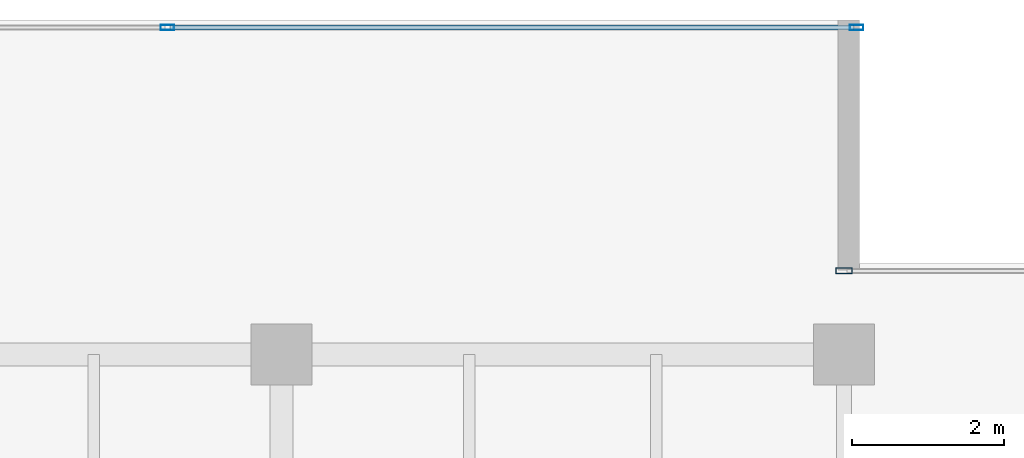
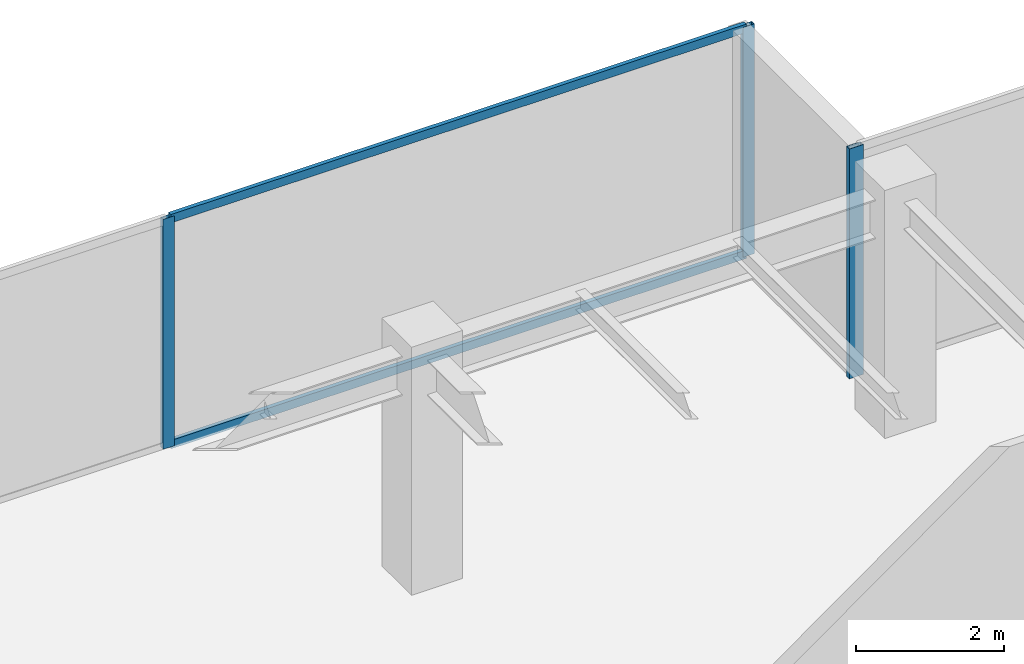
# One storey, part 21 of 33: 5 members, 2 elements without a shape of their own.
"""IFC4 building model written with IfcOpenShell, lengths in metres."""

from ifc_helpers import new_model, si_unit, direction, frame, origin, origin_2d, place, context, subcontext, project, spatial, hollow_rectangle, extrude, source, transform, mapped, material, layer, layer_set, material_profile, profile_set, type_object, type_shapes, element, aggregate, save


model = new_model("IFC4")

# Units and contexts
model_context = context("Model", 3, precision=1e-05, world=origin(), true_north=direction((0.0, 1.0)))
body_context = subcontext(model_context, "Body", "Model", "MODEL_VIEW")
ifc_project = project(units=[si_unit("LENGTHUNIT", "METRE"), si_unit("AREAUNIT", "SQUARE_METRE"), si_unit("VOLUMEUNIT", "CUBIC_METRE"), si_unit("PLANEANGLEUNIT", "RADIAN"), si_unit("MASSUNIT", "GRAM", prefix="KILO")], contexts=[model_context])

# Site, building, storey
site_placement = place(None, origin())
site = spatial("IfcSite", under=ifc_project, at=site_placement, CompositionType="ELEMENT")
building_placement = place(site_placement, origin())
building = spatial("IfcBuilding", under=site, at=building_placement, Name="Haelvirn Gate Laboratories", CompositionType="ELEMENT")
storey_placement = place(building_placement, frame((0.0, 0.0, 238.300048828125)))
storey = spatial("IfcBuildingStorey", under=building, at=storey_placement, Name="L57", CompositionType="ELEMENT", Elevation=238.300048828125)

# Curtain wall, members
ifc_material_1 = material(Name="Anodised bronze unitised aluminium & triple low-E glass", Category="aluminium")
ifc_layer_1 = layer(ifc_material_1, 0.176025390625, Name="CW-SYS-4")
ifc_layer_set_1 = layer_set([ifc_layer_1], Name="Anodised bronze unitised aluminium & triple low-E glass")
curtain_wall_type_1 = type_object("IfcCurtainWallType", Name="CW-SYS-4", PredefinedType="NOTDEFINED", material=ifc_layer_set_1)
curtain_wall_1_placement = place(storey_placement, origin())
curtain_wall_1 = element("IfcCurtainWall", 1, at=curtain_wall_1_placement, inside=storey, type_object=curtain_wall_type_1, Name="L57 Unitised Curtain Wall CW-L57-P0-E10-1", PredefinedType="NOTDEFINED")
ifc_material_2 = material(Name="Extruded aluminium 6063-T6 (anodised bronze)", Category="aluminium")
ifc_material_profile_1 = material_profile(ifc_material_2, hollow_rectangle(XDim=0.06494140625, YDim=0.139892578125, WallThickness=0.00390625, at=origin_2d()), Name="CWT-140x65x4")
ifc_profile_set_1 = profile_set([ifc_material_profile_1], Name="Extruded aluminium 6063-T6 (anodised bronze)")
member_type_1 = type_object("IfcMemberType", Name="CWT-T140", PredefinedType="USERDEFINED", material=ifc_profile_set_1)
shared_shape_1 = source(origin(), body_context, "Body", "SweptSolid", [
    extrude(hollow_rectangle(XDim=0.06494140625, YDim=0.139892578125, WallThickness=0.00390625, at=origin_2d()), origin(), (0.0, 0.0, 1.0), 8.9951171875),
])
type_shapes(member_type_1, [shared_shape_1])
member_1_placement = place(storey_placement, frame((58.534912109375, 45.89990234375, 0.032470703125), z_axis=(1.0, 0.0, 0.0), x_axis=(0.0, 1.0, 0.0)))
member_1 = element("IfcMember", 2, at=member_1_placement, type_object=member_type_1, Name="CW4 transom 2.1", ObjectType="TRANSOM", PredefinedType="USERDEFINED", context=body_context, shape_type="MappedRepresentation", body=[
    mapped(shared_shape_1, transform((0.0, 0.0, 0.0), scale=1.0)),
])
member_2_placement = place(storey_placement, frame((58.534912109375, 45.89990234375, 3.767333984375), z_axis=(1.0, 0.0, 0.0), x_axis=(0.0, 1.0, 0.0)))
member_2 = element("IfcMember", 3, at=member_2_placement, type_object=member_type_1, Name="CW4 transom 2.2", ObjectType="TRANSOM", PredefinedType="USERDEFINED", context=body_context, shape_type="MappedRepresentation", body=[
    mapped(shared_shape_1, transform((0.0, 0.0, 0.0), scale=1.0)),
])
ifc_material_profile_2 = material_profile(ifc_material_2, hollow_rectangle(XDim=0.070068359375, YDim=0.179931640625, WallThickness=0.0048828125, at=origin_2d()), Name="CWM-180x70x5")
ifc_profile_set_2 = profile_set([ifc_material_profile_2], Name="Extruded aluminium 6063-T6 (anodised bronze)")
member_type_2 = type_object("IfcMemberType", Name="CWM-T180", PredefinedType="MULLION", material=ifc_profile_set_2)
shared_shape_2 = source(origin(), body_context, "Body", "SweptSolid", [
    extrude(hollow_rectangle(XDim=0.070068359375, YDim=0.179931640625, WallThickness=0.0048828125, at=origin_2d()), origin(), (0.0, 0.0, 1.0), 3.800048828125),
])
type_shapes(member_type_2, [shared_shape_2])
member_3_placement = place(storey_placement, frame((58.5, 45.89990234375, 0.0), z_axis=(0.0, 0.0, 1.0), x_axis=(0.0, 1.0, 0.0)))
member_3 = element("IfcMember", 4, at=member_3_placement, type_object=member_type_2, Name="CW4 mullion 2", PredefinedType="MULLION", context=body_context, shape_type="MappedRepresentation", body=[
    mapped(shared_shape_2, transform((0.0, 0.0, 0.0), scale=1.0)),
])
member_4_placement = place(storey_placement, frame((67.56494140625, 45.89990234375, 0.0), z_axis=(0.0, 0.0, 1.0), x_axis=(0.0, 1.0, 0.0)))
member_4 = element("IfcMember", 5, at=member_4_placement, type_object=member_type_2, Name="CW4 mullion 3", PredefinedType="MULLION", context=body_context, shape_type="MappedRepresentation", body=[
    mapped(shared_shape_2, transform((0.0, 0.0, 0.0), scale=1.0)),
])
aggregate(curtain_wall_1, [member_3, member_4, member_1, member_2])

# Curtain wall, member
ifc_layer_2 = layer(ifc_material_1, 0.181884765625, Name="CW-SYS-5")
ifc_layer_set_2 = layer_set([ifc_layer_2], Name="Anodised bronze unitised aluminium & triple low-E glass")
curtain_wall_type_2 = type_object("IfcCurtainWallType", Name="CW-SYS-5", PredefinedType="NOTDEFINED", material=ifc_layer_set_2)
curtain_wall_2_placement = place(storey_placement, origin())
curtain_wall_2 = element("IfcCurtainWall", 6, at=curtain_wall_2_placement, inside=storey, type_object=curtain_wall_type_2, Name="L57 Unitised Curtain Wall CW-L57-P0-E08-1", PredefinedType="NOTDEFINED")
ifc_material_profile_3 = material_profile(ifc_material_2, hollow_rectangle(XDim=0.080078125, YDim=0.219970703125, WallThickness=0.006103515625, at=origin_2d()), Name="CWM-220x80x6")
ifc_profile_set_3 = profile_set([ifc_material_profile_3], Name="Extruded aluminium 6063-T6 (anodised bronze)")
member_type_3 = type_object("IfcMemberType", Name="CWM-T220", PredefinedType="MULLION", material=ifc_profile_set_3)
shared_shape_3 = source(origin(), body_context, "Body", "SweptSolid", [
    extrude(hollow_rectangle(XDim=0.080078125, YDim=0.219970703125, WallThickness=0.006103515625, at=origin_2d()), origin(), (0.0, 0.0, 1.0), 3.800048828125),
])
type_shapes(member_type_3, [shared_shape_3])
member_5_placement = place(storey_placement, frame((67.39990234375, 42.699951171875, 0.0), z_axis=(0.0, 0.0, 1.0), x_axis=(0.0, 1.0, 0.0)))
member_5 = element("IfcMember", 7, at=member_5_placement, type_object=member_type_3, Name="CW5 mullion 1", PredefinedType="MULLION", context=body_context, shape_type="MappedRepresentation", body=[
    mapped(shared_shape_3, transform((0.0, 0.0, 0.0), scale=1.0)),
])
aggregate(curtain_wall_2, [member_5])

save(model, "model.ifc")
